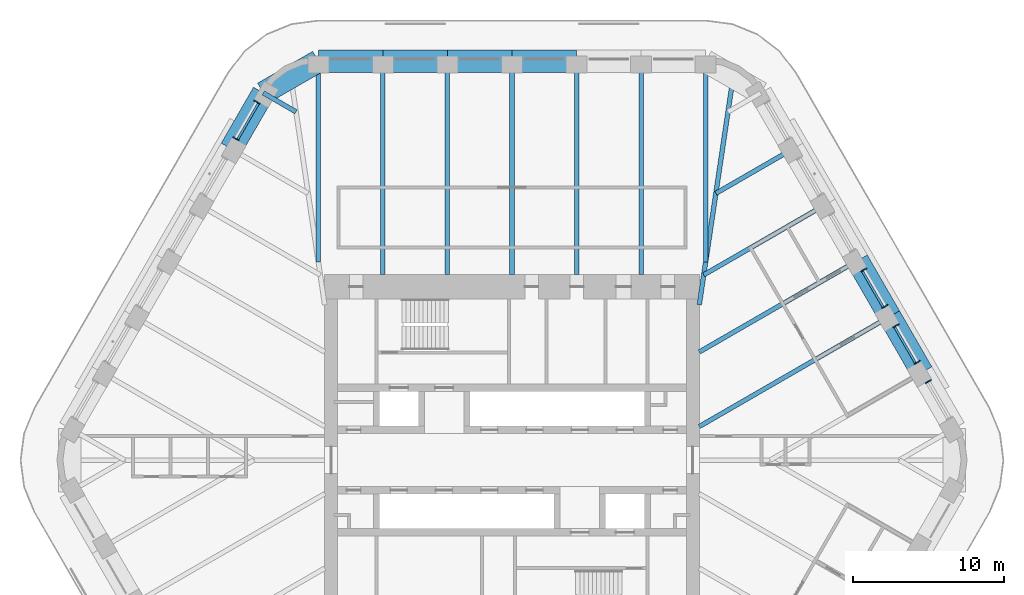
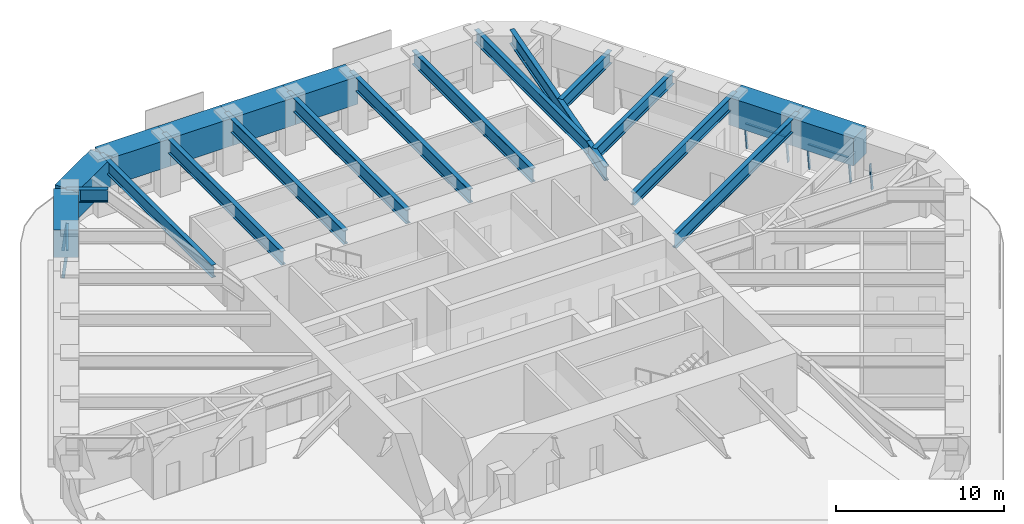
# One storey, part 9 of 18: 21 beams, 10 members, 4 elements without a shape of their own.
"""IFC4 building model written with IfcOpenShell, lengths in metres."""

from ifc_helpers import new_model, si_unit, direction, frame, origin, origin_2d, place, context, subcontext, project, spatial, rectangle, i_section, extrude, material, material_profile, profile_set, type_object, element, aggregate, save


model = new_model("IFC4")

# Units and contexts
model_context = context("Model", 3, precision=1e-05, world=origin(), true_north=direction((0.0, 1.0)))
body_context = subcontext(model_context, "Body", "Model", "MODEL_VIEW")
ifc_project = project(units=[si_unit("LENGTHUNIT", "METRE"), si_unit("AREAUNIT", "SQUARE_METRE"), si_unit("VOLUMEUNIT", "CUBIC_METRE"), si_unit("PLANEANGLEUNIT", "RADIAN"), si_unit("MASSUNIT", "GRAM", prefix="KILO")], contexts=[model_context])

# Site, building, storey
site_placement = place(None, origin())
site = spatial("IfcSite", under=ifc_project, at=site_placement, CompositionType="ELEMENT")
building_placement = place(site_placement, origin())
building = spatial("IfcBuilding", under=site, at=building_placement, Name="Tarfa Lantern Tower", CompositionType="ELEMENT")
storey_placement = place(building_placement, frame((0.0, 0.0, 319.89990234375)))
storey = spatial("IfcBuildingStorey", under=building, at=storey_placement, Name="L72", CompositionType="ELEMENT", Elevation=319.89990234375)

# Curtain wall, member
ifc_material_1 = material(Name="Aluminium framed curtain wall", Category="aluminium")
curtain_wall_type = type_object("IfcCurtainWallType", Name="CW4 CANTED GLAZING EXECUTIVE ZONE 2000", PredefinedType="USERDEFINED", material=ifc_material_1)
curtain_wall_1_placement = place(storey_placement, origin())
curtain_wall_1 = element("IfcCurtainWall", 1, at=curtain_wall_1_placement, inside=storey, type_object=curtain_wall_type, Name="CW4 NE L72", ObjectType="CURTAIN WALL", PredefinedType="USERDEFINED")
ifc_material_2 = material(Name="Aluminium mullion", Category="aluminium")
ifc_material_profile_1 = material_profile(ifc_material_2, rectangle(XDim=0.06494140625, YDim=0.199951171875, at=origin_2d()), Name="AL MULLION 65x200")
ifc_profile_set_1 = profile_set([ifc_material_profile_1], Name="Aluminium mullion")
member_type_1 = type_object("IfcMemberType", Name="CWM1 MULLION 65x200", PredefinedType="MULLION", material=ifc_profile_set_1)
member_1_placement = place(storey_placement, frame((27.727783203125, 5.27392578125, 0.0), z_axis=(-0.107439978116, -0.062017213975, 0.992275423596), x_axis=(0.499919672301, -0.866071776036, 0.0)))
member_1 = element("IfcMember", 2, at=member_1_placement, type_object=member_type_1, Name="CW4 mullion 2", PredefinedType="MULLION", context=body_context, shape_type="SweptSolid", body=[
    extrude(rectangle(XDim=0.06494140625, YDim=0.199951171875, at=origin_2d()), origin(), (0.0, 0.0, 1.0), 2.015625),
])
aggregate(curtain_wall_1, [member_1])

# Curtain wall, members
curtain_wall_2_placement = place(storey_placement, origin())
curtain_wall_2 = element("IfcCurtainWall", 3, at=curtain_wall_2_placement, inside=storey, type_object=curtain_wall_type, Name="CW4 NE L72", ObjectType="CURTAIN WALL", PredefinedType="USERDEFINED")
member_2_placement = place(storey_placement, frame((26.995361328125, 6.542724609375, 0.0), z_axis=(-0.107439978116, -0.062017213975, 0.992275423596), x_axis=(0.499919672301, -0.866071776036, 0.0)))
member_2 = element("IfcMember", 4, at=member_2_placement, type_object=member_type_1, Name="CW4 mullion 1", PredefinedType="MULLION", context=body_context, shape_type="SweptSolid", body=[
    extrude(rectangle(XDim=0.06494140625, YDim=0.199951171875, at=origin_2d()), origin(), (0.0, 0.0, 1.0), 2.015625),
])
member_3_placement = place(storey_placement, frame((25.5869140625, 8.982421875, 0.0), z_axis=(-0.107439978116, -0.062017213975, 0.992275423596), x_axis=(0.499919672301, -0.866071776036, 0.0)))
member_3 = element("IfcMember", 5, at=member_3_placement, type_object=member_type_1, Name="CW4 mullion 2", PredefinedType="MULLION", context=body_context, shape_type="SweptSolid", body=[
    extrude(rectangle(XDim=0.06494140625, YDim=0.199951171875, at=origin_2d()), origin(), (0.0, 0.0, 1.0), 2.015625),
])

curtain_wall_3_placement = place(storey_placement, origin())
curtain_wall_3 = element("IfcCurtainWall", 6, at=curtain_wall_3_placement, inside=storey, type_object=curtain_wall_type, Name="CW4 NE L72", ObjectType="CURTAIN WALL", PredefinedType="USERDEFINED")
member_4_placement = place(storey_placement, frame((24.854248046875, 10.2509765625, 0.0), z_axis=(-0.107320246625, -0.062018020623, 0.992288329964), x_axis=(0.500342721131, -0.865827443207, 0.0)))
member_4 = element("IfcMember", 7, at=member_4_placement, type_object=member_type_1, Name="CW4 mullion 1", PredefinedType="MULLION", context=body_context, shape_type="SweptSolid", body=[
    extrude(rectangle(XDim=0.06494140625, YDim=0.199951171875, at=origin_2d()), origin(), (0.0, 0.0, 1.0), 2.015625),
])
member_5_placement = place(storey_placement, frame((23.44580078125, 12.690673828125, 0.0), z_axis=(-0.107439978116, -0.062017213975, 0.992275423596), x_axis=(0.499919672301, -0.866071776036, 0.0)))
member_5 = element("IfcMember", 8, at=member_5_placement, type_object=member_type_1, Name="CW4 mullion 2", PredefinedType="MULLION", context=body_context, shape_type="SweptSolid", body=[
    extrude(rectangle(XDim=0.06494140625, YDim=0.199951171875, at=origin_2d()), origin(), (0.0, 0.0, 1.0), 2.015625),
])

curtain_wall_4_placement = place(storey_placement, origin())
curtain_wall_4 = element("IfcCurtainWall", 9, at=curtain_wall_4_placement, inside=storey, type_object=curtain_wall_type, Name="CW4 NW L72", ObjectType="CURTAIN WALL", PredefinedType="USERDEFINED")
member_6_placement = place(storey_placement, frame((-17.022705078125, 23.815673828125, 0.0), z_axis=(0.107320246625, -0.062018020623, 0.992288329964), x_axis=(0.500342721131, 0.865827443207, 0.0)))
member_6 = element("IfcMember", 10, at=member_6_placement, type_object=member_type_1, Name="CW4 mullion 1", PredefinedType="MULLION", context=body_context, shape_type="SweptSolid", body=[
    extrude(rectangle(XDim=0.06494140625, YDim=0.199951171875, at=origin_2d()), origin(), (0.0, 0.0, 1.0), 2.015625),
])
member_7_placement = place(storey_placement, frame((-18.431396484375, 21.3759765625, 0.0), z_axis=(0.107439978116, -0.062017213975, 0.992275423596), x_axis=(0.499919672301, 0.866071776036, 0.0)))
member_7 = element("IfcMember", 11, at=member_7_placement, type_object=member_type_1, Name="CW4 mullion 2", PredefinedType="MULLION", context=body_context, shape_type="SweptSolid", body=[
    extrude(rectangle(XDim=0.06494140625, YDim=0.199951171875, at=origin_2d()), origin(), (0.0, 0.0, 1.0), 2.015625),
])

# Member
ifc_material_3 = material(Name="Aluminium transom", Category="aluminium")
ifc_material_profile_2 = material_profile(ifc_material_3, rectangle(XDim=0.14990234375, YDim=0.06494140625, at=origin_2d()), Name="AL TRANSOM 150x65")
ifc_profile_set_2 = profile_set([ifc_material_profile_2], Name="Aluminium transom")
member_type_2 = type_object("IfcMemberType", Name="CWT1 TRANSOM 150x65", PredefinedType="USERDEFINED", material=ifc_profile_set_2)
member_8_placement = place(storey_placement, frame((26.76611328125, 6.44775390625, 1.967529296875), z_axis=(-0.499955378711, 0.866051164365, 0.0), x_axis=(-0.866051164365, -0.499955378711, 0.0)))
member_8 = element("IfcMember", 12, at=member_8_placement, type_object=member_type_2, Name="CW4 transom 1.2", ObjectType="TRANSOM", PredefinedType="USERDEFINED", context=body_context, shape_type="SweptSolid", body=[
    extrude(rectangle(XDim=0.14990234375, YDim=0.06494140625, at=origin_2d()), origin(), (0.0, 0.0, 1.0), 2.752197265625),
])

aggregate(curtain_wall_2, [member_2, member_3, member_8])

member_9_placement = place(storey_placement, frame((24.625, 10.15625, 1.967529296875), z_axis=(-0.499993790352, 0.866028988896, 0.0), x_axis=(-0.866028988896, -0.499993790352, 0.0)))
member_9 = element("IfcMember", 13, at=member_9_placement, type_object=member_type_2, Name="CW4 transom 1.2", ObjectType="TRANSOM", PredefinedType="USERDEFINED", context=body_context, shape_type="SweptSolid", body=[
    extrude(rectangle(XDim=0.14990234375, YDim=0.06494140625, at=origin_2d()), origin(), (0.0, 0.0, 1.0), 2.751953125),
])

aggregate(curtain_wall_3, [member_4, member_5, member_9])

member_10_placement = place(storey_placement, frame((-16.826171875, 23.66455078125, 1.967529296875), z_axis=(-0.499993790352, -0.866028988896, 0.0), x_axis=(0.866028988896, -0.499993790352, 0.0)))
member_10 = element("IfcMember", 14, at=member_10_placement, type_object=member_type_2, Name="CW4 transom 1.2", ObjectType="TRANSOM", PredefinedType="USERDEFINED", context=body_context, shape_type="SweptSolid", body=[
    extrude(rectangle(XDim=0.14990234375, YDim=0.06494140625, at=origin_2d()), origin(), (0.0, 0.0, 1.0), 2.751953125),
])

aggregate(curtain_wall_4, [member_6, member_7, member_10])

# Beams
ifc_material_4 = material(Name="Concrete C80/95", Category="concrete")
ifc_material_profile_3 = material_profile(ifc_material_4, rectangle(XDim=1.5, YDim=2.0, at=origin_2d()), Name="RC 1500x2000")
ifc_profile_set_3 = profile_set([ifc_material_profile_3], Name="Concrete C80/95")
beam_type_1 = type_object("IfcBeamType", Name="RB3 RC 1500x2000", PredefinedType="BEAM", material=ifc_profile_set_3)
beam_1_placement = place(storey_placement, frame((27.205810546875, 5.818359375, 3.0), z_axis=(-0.500026801138, 0.866009929587, 0.0), x_axis=(-0.866009929587, -0.500026801138, 0.0)))
element("IfcBeam", 15, at=beam_1_placement, inside=storey, type_object=beam_type_1, Name="Edge beam NE1", PredefinedType="BEAM", context=body_context, shape_type="SweptSolid", body=[
    extrude(rectangle(XDim=1.5, YDim=2.0, at=origin_2d()), origin(), (0.0, 0.0, 1.0), 4.281982421875),
])
beam_2_placement = place(storey_placement, frame((25.064697265625, 9.526611328125, 3.0), z_axis=(-0.500002112793, 0.866024183959, 0.0), x_axis=(-0.866024183959, -0.500002112793, 0.0)))
element("IfcBeam", 16, at=beam_2_placement, inside=storey, type_object=beam_type_1, Name="Edge beam NE2", PredefinedType="BEAM", context=body_context, shape_type="SweptSolid", body=[
    extrude(rectangle(XDim=1.5, YDim=2.0, at=origin_2d()), origin(), (0.0, 0.0, 1.0), 4.2822265625),
])
for number, where, z_axis, x_axis, name in (
    (17, (4.281982421875, 26.469970703125, 3.0), (-1.0, 0.0, 0.0), (0.0, -1.0, 0.0), "Edge beam N2"),
    (18, (0.0, 26.469970703125, 3.0), (-1.0, 0.0, 0.0), (0.0, -1.0, 0.0), "Edge beam N3"),
    (19, (-4.281982421875, 26.469970703125, 3.0), (-1.0, 0.0, 0.0), (0.0, -1.0, 0.0), "Edge beam N4"),
    (20, (-8.56396484375, 26.469970703125, 3.0), (-1.0, 0.0, 0.0), (0.0, -1.0, 0.0), "Edge beam N5"),
):
    element("IfcBeam", number, at=place(storey_placement, frame(where, z_axis=z_axis, x_axis=x_axis)), inside=storey, type_object=beam_type_1, Name=name, PredefinedType="BEAM", context=body_context, shape_type="SweptSolid", body=[
        extrude(rectangle(XDim=1.5, YDim=2.0, at=origin_2d()), origin(), (0.0, 0.0, 1.0), 4.281982421875),
    ])
beam_3_placement = place(storey_placement, frame((-12.845947265625, 26.469970703125, 3.0), z_axis=(-0.866048788483, -0.499959494327, 0.0), x_axis=(0.499959494327, -0.866048788483, 0.0)))
element("IfcBeam", 21, at=beam_3_placement, inside=storey, type_object=beam_type_1, Name="Edge beam N6", PredefinedType="BEAM", context=body_context, shape_type="SweptSolid", body=[
    extrude(rectangle(XDim=1.5, YDim=2.0, at=origin_2d()), origin(), (0.0, 0.0, 1.0), 4.219970703125),
])
beam_4_placement = place(storey_placement, frame((-16.500732421875, 24.360107421875, 3.0), z_axis=(-0.499959351497, -0.866048870937, 0.0), x_axis=(0.866048870937, -0.499959351497, 0.0)))
element("IfcBeam", 22, at=beam_4_placement, inside=storey, type_object=beam_type_1, Name="Edge beam NW0", PredefinedType="BEAM", context=body_context, shape_type="SweptSolid", body=[
    extrude(rectangle(XDim=1.5, YDim=2.0, at=origin_2d()), origin(), (0.0, 0.0, 1.0), 4.281982421875),
])
ifc_material_5 = material(Name="Steel S460M", Category="steel")
ifc_material_profile_4 = material_profile(ifc_material_5, i_section(OverallWidth=0.302001953125, OverallDepth=1.008056640625, WebThickness=0.02099609375, FlangeThickness=0.0400390625, FilletRadius=0.030029296875, at=origin_2d()), Name="UB1016x305x349")
ifc_profile_set_4 = profile_set([ifc_material_profile_4], Name="Steel S460M")
beam_type_2 = type_object("IfcBeamType", Name="UB1016x305x349", PredefinedType="BEAM", material=ifc_profile_set_4)
beam_5_placement = place(storey_placement, frame((25.064697265625, 9.526611328125, 3.49609375), z_axis=(-0.866029591389, -0.499992746786, 0.0), x_axis=(0.499992746786, -0.866029591389, 0.0)))
element("IfcBeam", 23, at=beam_5_placement, inside=storey, type_object=beam_type_2, Name="Floor beam NE2", PredefinedType="BEAM", context=body_context, shape_type="SweptSolid", body=[
    extrude(i_section(OverallWidth=0.302001953125, OverallDepth=1.008056640625, WebThickness=0.02099609375, FlangeThickness=0.0400390625, FilletRadius=0.030029296875, at=origin_2d()), origin(), (0.0, 0.0, 1.0), 14.594970703125),
])
for number, where, z_axis, x_axis, name in (
    (24, (8.56396484375, 26.469970703125, 3.49609375), (0.0, -1.0, 0.0), (1.0, 0.0, 0.0), "Floor beam N1"),
    (25, (4.281982421875, 26.469970703125, 3.49609375), (0.0, -1.0, 0.0), (1.0, 0.0, 0.0), "Floor beam N2"),
    (26, (0.0, 26.469970703125, 3.49609375), (0.0, -1.0, 0.0), (1.0, 0.0, 0.0), "Floor beam N3"),
    (27, (-4.281982421875, 26.469970703125, 3.49609375), (0.0, -1.0, 0.0), (1.0, 0.0, 0.0), "Floor beam N4"),
    (28, (-8.56396484375, 26.469970703125, 3.49609375), (0.0, -1.0, 0.0), (1.0, 0.0, 0.0), "Floor beam N5"),
):
    element("IfcBeam", number, at=place(storey_placement, frame(where, z_axis=z_axis, x_axis=x_axis)), inside=storey, type_object=beam_type_2, Name=name, PredefinedType="BEAM", context=body_context, shape_type="SweptSolid", body=[
        extrude(i_section(OverallWidth=0.302001953125, OverallDepth=1.008056640625, WebThickness=0.02099609375, FlangeThickness=0.0400390625, FilletRadius=0.030029296875, at=origin_2d()), origin(), (0.0, 0.0, 1.0), 14.169921875),
    ])
ifc_material_profile_5 = material_profile(ifc_material_5, i_section(OverallWidth=0.30859375, OverallDepth=1.036376953125, WebThickness=0.030029296875, FlangeThickness=0.05419921875, FilletRadius=0.030029296875, at=origin_2d()), Name="UB1016x305x487")
ifc_profile_set_5 = profile_set([ifc_material_profile_5], Name="Steel S460M")
beam_type_3 = type_object("IfcBeamType", Name="UB1016x305x487", PredefinedType="BEAM", material=ifc_profile_set_5)
beam_6_placement = place(storey_placement, frame((12.425048828125, 10.300048828125, 3.48193359375), z_axis=(0.147127069073, 0.989117599452, 0.0), x_axis=(-0.989117599452, 0.147127069073, 0.0)))
element("IfcBeam", 29, at=beam_6_placement, inside=storey, type_object=beam_type_3, Name="Hip girder NE", PredefinedType="BEAM", context=body_context, shape_type="SweptSolid", body=[
    extrude(i_section(OverallWidth=0.30859375, OverallDepth=1.036376953125, WebThickness=0.030029296875, FlangeThickness=0.05419921875, FilletRadius=0.030029296875, at=origin_2d()), origin(), (0.0, 0.0, 1.0), 15.28125),
])
ifc_material_profile_6 = material_profile(ifc_material_5, i_section(OverallWidth=0.305419921875, OverallDepth=0.91845703125, WebThickness=0.017333984375, FlangeThickness=0.02783203125, FilletRadius=0.01904296875, at=origin_2d()), Name="UB914x305x253")
ifc_profile_set_6 = profile_set([ifc_material_profile_6], Name="Steel S460M")
beam_type_4 = type_object("IfcBeamType", Name="UB914x305x253", PredefinedType="BEAM", material=ifc_profile_set_6)
beam_7_placement = place(storey_placement, frame((22.923583984375, 13.235107421875, 3.541015625), z_axis=(-0.86601856927, -0.500011837539, 0.0), x_axis=(0.500011837539, -0.86601856927, 0.0)))
element("IfcBeam", 30, at=beam_7_placement, inside=storey, type_object=beam_type_4, Name="Floor beam NE3", PredefinedType="BEAM", context=body_context, shape_type="SweptSolid", body=[
    extrude(i_section(OverallWidth=0.305419921875, OverallDepth=0.91845703125, WebThickness=0.017333984375, FlangeThickness=0.02783203125, FilletRadius=0.01904296875, at=origin_2d()), origin(), (0.0, 0.0, 1.0), 12.122802734375),
])
beam_8_placement = place(storey_placement, frame((20.78271484375, 16.943359375, 3.541015625), z_axis=(-0.866021806508, -0.500006230613, 0.0), x_axis=(0.500006230613, -0.866021806508, 0.0)))
element("IfcBeam", 31, at=beam_8_placement, inside=storey, type_object=beam_type_4, Name="Floor beam NE4", PredefinedType="BEAM", context=body_context, shape_type="SweptSolid", body=[
    extrude(i_section(OverallWidth=0.305419921875, OverallDepth=0.91845703125, WebThickness=0.017333984375, FlangeThickness=0.02783203125, FilletRadius=0.01904296875, at=origin_2d()), origin(), (0.0, 0.0, 1.0), 9.30908203125),
])
beam_9_placement = place(storey_placement, frame((18.6416015625, 20.651611328125, 3.541015625), z_axis=(-0.866024549157, -0.500001480256, 0.0), x_axis=(0.500001480256, -0.866024549157, 0.0)))
element("IfcBeam", 32, at=beam_9_placement, inside=storey, type_object=beam_type_4, Name="Floor beam NE5", PredefinedType="BEAM", context=body_context, shape_type="SweptSolid", body=[
    extrude(i_section(OverallWidth=0.305419921875, OverallDepth=0.91845703125, WebThickness=0.017333984375, FlangeThickness=0.02783203125, FilletRadius=0.01904296875, at=origin_2d()), origin(), (0.0, 0.0, 1.0), 5.90771484375),
])
for number, where, z_axis, x_axis, name in (
    (33, (12.845947265625, 26.469970703125, 3.541015625), (0.0, -1.0, 0.0), (1.0, 0.0, 0.0), "Floor beam N0"),
    (34, (-12.845947265625, 26.469970703125, 3.541015625), (0.0, -1.0, 0.0), (1.0, 0.0, 0.0), "Floor beam N6"),
):
    element("IfcBeam", number, at=place(storey_placement, frame(where, z_axis=z_axis, x_axis=x_axis)), inside=storey, type_object=beam_type_4, Name=name, PredefinedType="BEAM", context=body_context, shape_type="SweptSolid", body=[
        extrude(i_section(OverallWidth=0.305419921875, OverallDepth=0.91845703125, WebThickness=0.017333984375, FlangeThickness=0.02783203125, FilletRadius=0.01904296875, at=origin_2d()), origin(), (0.0, 0.0, 1.0), 13.33935546875),
    ])
beam_10_placement = place(storey_placement, frame((-16.500732421875, 24.360107421875, 3.541015625), z_axis=(0.865992557167, -0.500056887695, 0.0), x_axis=(0.500056887695, 0.865992557167, 0.0)))
element("IfcBeam", 35, at=beam_10_placement, inside=storey, type_object=beam_type_4, Name="Floor beam NW0", PredefinedType="BEAM", context=body_context, shape_type="SweptSolid", body=[
    extrude(i_section(OverallWidth=0.305419921875, OverallDepth=0.91845703125, WebThickness=0.017333984375, FlangeThickness=0.02783203125, FilletRadius=0.01904296875, at=origin_2d()), origin(), (0.0, 0.0, 1.0), 2.506591796875),
])

save(model, "model.ifc")
